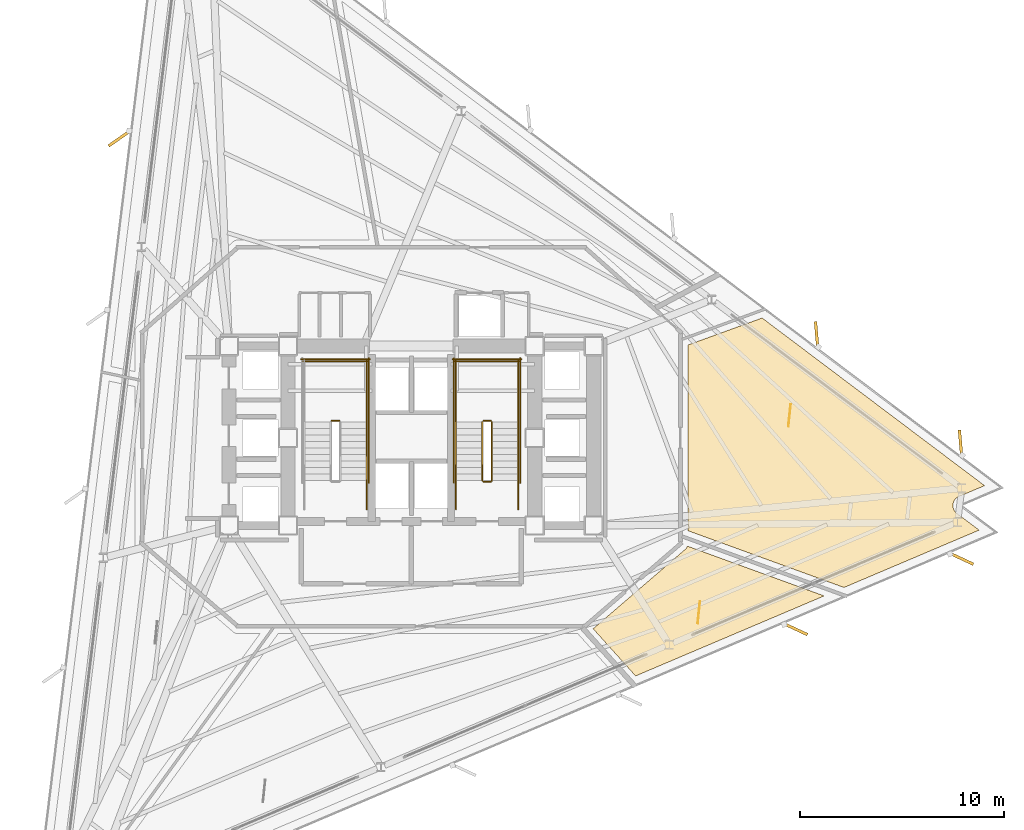
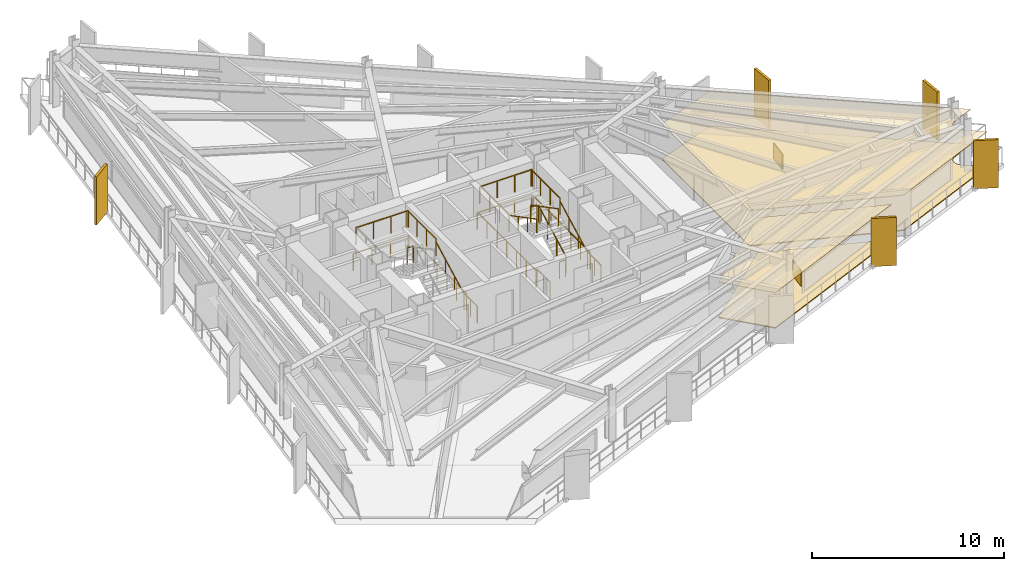
# One storey, part 12 of 13: 21 railings, 6 coverings, 5 shading devices.
"""IFC4 building model written with IfcOpenShell, lengths in metres."""

from ifc_helpers import new_model, si_unit, direction, frame, origin, origin_2d, place, context, subcontext, project, spatial, polyline, rectangle, outline, extrude, material, layer, layer_set, type_object, element, save


model = new_model("IFC4")

# Units and contexts
model_context = context("Model", 3, precision=1e-05, world=origin(), true_north=direction((0.0, 1.0)))
body_context = subcontext(model_context, "Body", "Model", "MODEL_VIEW")
ifc_project = project(units=[si_unit("LENGTHUNIT", "METRE"), si_unit("AREAUNIT", "SQUARE_METRE"), si_unit("VOLUMEUNIT", "CUBIC_METRE"), si_unit("PLANEANGLEUNIT", "RADIAN"), si_unit("MASSUNIT", "GRAM", prefix="KILO")], contexts=[model_context])

# Site, building, storey
site_placement = place(None, origin())
site = spatial("IfcSite", under=ifc_project, at=site_placement, CompositionType="ELEMENT")
building_placement = place(site_placement, origin())
building = spatial("IfcBuilding", under=site, at=building_placement, Name="Rocaltana Carrier Exchange", CompositionType="ELEMENT")
storey_placement = place(building_placement, frame((0.0, 0.0, 73.1201171875)))
storey = spatial("IfcBuildingStorey", under=building, at=storey_placement, Name="L22", CompositionType="ELEMENT", Elevation=73.1201171875)

# Coverings
ifc_material_1 = material(Name="Calcium Sulphate & Aluminium Pedestal", Category="aluminium")
ifc_layer_1 = layer(ifc_material_1, 0.06005859375)
ifc_layer_set_1 = layer_set([ifc_layer_1], Name="Calcium Sulphate & Aluminium Pedestal")
covering_type_1 = type_object("IfcCoveringType", Name="Anti-Static Raised Exchange Access Floor 60", PredefinedType="FLOORING", material=ifc_layer_set_1)
covering_1_placement = place(storey_placement, origin())
element("IfcCovering", 1, at=covering_1_placement, inside=storey, type_object=covering_type_1, Name="L22 Cloud Architecture Office Finish Floor", PredefinedType="FLOORING", context=body_context, shape_type="SweptSolid", body=[
    extrude(outline(polyline([(8.917236328125, -9.365478515625), (13.43505859375, -5.47265625), (13.44482421875, -5.4638671875), (13.450439453125, -5.45849609375), (13.468994140625, -5.439208984375), (13.47412109375, -5.433349609375), (13.490478515625, -5.41259765625), (13.4951171875, -5.40625), (13.509521484375, -5.3837890625), (13.51318359375, -5.377197265625), (13.525634765625, -5.353515625), (13.52880859375, -5.346435546875), (13.538818359375, -5.32177734375), (13.541259765625, -5.314453125), (13.5419921875, -5.31201171875), (20.251708984375, -7.754150390625), (11.001708984375, -11.6806640625), (8.917236328125, -9.365478515625)])), origin(), (0.0, 0.0, 1.0), 0.059814453125),
])
covering_2_placement = place(storey_placement, origin())
element("IfcCovering", 2, at=covering_2_placement, inside=storey, type_object=covering_type_1, Name="L22 Optical Switching Laboratory Finish Floor", PredefinedType="FLOORING", context=body_context, shape_type="SweptSolid", body=[
    extrude(outline(polyline([(28.1201171875, -2.344482421875), (26.860107421875, -2.87939453125), (26.847412109375, -2.885009765625), (26.82958984375, -2.893798828125), (26.80517578125, -2.906982421875), (26.7880859375, -2.91748046875), (26.76513671875, -2.933349609375), (26.749267578125, -2.9453125), (26.727783203125, -2.96337890625), (26.71337890625, -2.97705078125), (26.69384765625, -2.9970703125), (26.6806640625, -3.01220703125), (26.663330078125, -3.033935546875), (26.65185546875, -3.050048828125), (26.63671875, -3.073486328125), (26.626708984375, -3.0908203125), (26.614013671875, -3.11572265625), (26.60595703125, -3.134033203125), (26.595703125, -3.159912109375), (26.589599609375, -3.178955078125), (26.58203125, -3.205810546875), (26.57763671875, -3.225341796875), (26.57275390625, -3.252685546875), (26.5703125, -3.2724609375), (26.568359375, -3.30029296875), (26.56787109375, -3.3203125), (26.568603515625, -3.34814453125), (26.5703125, -3.3681640625), (26.57373046875, -3.395751953125), (26.577392578125, -3.415283203125), (26.58349609375, -3.442626953125), (26.589111328125, -3.4619140625), (26.597900390625, -3.48828125), (26.605224609375, -3.5068359375), (26.616943359375, -3.5322265625), (26.6259765625, -3.5498046875), (26.639892578125, -3.573974609375), (26.65087890625, -3.5908203125), (26.667236328125, -3.61328125), (26.6796875, -3.62890625), (26.6982421875, -3.64990234375), (26.712158203125, -3.6640625), (26.732666015625, -3.68310546875), (26.748046875, -3.69580078125), (26.7587890625, -3.70458984375), (27.851806640625, -4.528076171875), (21.223388671875, -7.341552734375), (13.56005859375, -4.55224609375), (13.56005859375, 4.55224609375), (17.20654296875, 5.87939453125), (28.1201171875, -2.344482421875)])), origin(), (0.0, 0.0, 1.0), 0.059814453125),
])
ifc_material_2 = material(Name="Mineral Fibre & Powder-Coated Aluminium", Category="aluminium")
ifc_layer_2 = layer(ifc_material_2, 0.044921875)
ifc_layer_set_2 = layer_set([ifc_layer_2], Name="Mineral Fibre & Powder-Coated Aluminium")
covering_type_2 = type_object("IfcCoveringType", Name="Micro-Perforated Acoustic Ceiling 45", PredefinedType="CEILING", material=ifc_layer_set_2)
covering_3_placement = place(storey_placement, frame((0.0, 0.0, 2.242919921875)))
element("IfcCovering", 3, at=covering_3_placement, inside=storey, type_object=covering_type_2, Name="L22 Cloud Architecture Office Acoustic Ceiling", PredefinedType="CEILING", context=body_context, shape_type="SweptSolid", body=[
    extrude(outline(polyline([(8.917236328125, -9.365478515625), (13.43505859375, -5.47265625), (13.44482421875, -5.4638671875), (13.450439453125, -5.45849609375), (13.468994140625, -5.439208984375), (13.47412109375, -5.433349609375), (13.490478515625, -5.41259765625), (13.4951171875, -5.40625), (13.509521484375, -5.3837890625), (13.51318359375, -5.377197265625), (13.525634765625, -5.353515625), (13.52880859375, -5.346435546875), (13.538818359375, -5.32177734375), (13.541259765625, -5.314453125), (13.5419921875, -5.31201171875), (20.251708984375, -7.754150390625), (11.001708984375, -11.6806640625), (8.917236328125, -9.365478515625)])), origin(), (0.0, 0.0, 1.0), 0.044921875),
])
covering_4_placement = place(storey_placement, frame((0.0, 0.0, 2.242919921875)))
element("IfcCovering", 4, at=covering_4_placement, inside=storey, type_object=covering_type_2, Name="L22 Optical Switching Laboratory Acoustic Ceiling", PredefinedType="CEILING", context=body_context, shape_type="SweptSolid", body=[
    extrude(outline(polyline([(28.1201171875, -2.344482421875), (26.860107421875, -2.87939453125), (26.847412109375, -2.885009765625), (26.82958984375, -2.893798828125), (26.80517578125, -2.906982421875), (26.7880859375, -2.91748046875), (26.76513671875, -2.933349609375), (26.749267578125, -2.9453125), (26.727783203125, -2.96337890625), (26.71337890625, -2.97705078125), (26.69384765625, -2.9970703125), (26.6806640625, -3.01220703125), (26.663330078125, -3.033935546875), (26.65185546875, -3.050048828125), (26.63671875, -3.073486328125), (26.626708984375, -3.0908203125), (26.614013671875, -3.11572265625), (26.60595703125, -3.134033203125), (26.595703125, -3.159912109375), (26.589599609375, -3.178955078125), (26.58203125, -3.205810546875), (26.57763671875, -3.225341796875), (26.57275390625, -3.252685546875), (26.5703125, -3.2724609375), (26.568359375, -3.30029296875), (26.56787109375, -3.3203125), (26.568603515625, -3.34814453125), (26.5703125, -3.3681640625), (26.57373046875, -3.395751953125), (26.577392578125, -3.415283203125), (26.58349609375, -3.442626953125), (26.589111328125, -3.4619140625), (26.597900390625, -3.48828125), (26.605224609375, -3.5068359375), (26.616943359375, -3.5322265625), (26.6259765625, -3.5498046875), (26.639892578125, -3.573974609375), (26.65087890625, -3.5908203125), (26.667236328125, -3.61328125), (26.6796875, -3.62890625), (26.6982421875, -3.64990234375), (26.712158203125, -3.6640625), (26.732666015625, -3.68310546875), (26.748046875, -3.69580078125), (26.7587890625, -3.70458984375), (27.851806640625, -4.528076171875), (21.223388671875, -7.341552734375), (13.56005859375, -4.55224609375), (13.56005859375, 4.55224609375), (17.20654296875, 5.87939453125), (28.1201171875, -2.344482421875)])), origin(), (0.0, 0.0, 1.0), 0.044921875),
])

# Railings
ifc_material_3 = material(Name="Brushed Architectural Stainless Tube", Category="steel")
ifc_layer_3 = layer(ifc_material_3, 0.048095703125)
ifc_layer_set_3 = layer_set([ifc_layer_3], Name="Brushed Architectural Stainless Tube")
railing_type_1 = type_object("IfcRailingType", Name="Stair Wall Handrail 920", PredefinedType="HANDRAIL", material=ifc_layer_set_3)
for number, where, name in (
    (5, (-2.18994140625, -2.10009765625, 0.16796875), "L22 ST-1 stair handrail 1"),
    (6, (5.25, -2.10009765625, 0.16796875), "L22 ST-2 stair handrail 1"),
):
    element("IfcRailing", number, at=place(storey_placement, frame(where)), inside=storey, type_object=railing_type_1, Name=name, PredefinedType="HANDRAIL", context=body_context, shape_type="SweptSolid", body=[
        extrude(rectangle(XDim=0.048095703125, YDim=0.048095703125, at=origin_2d()), frame((0.0, 0.0, 0.8759765625), z_axis=(0.0, 0.885411030485, 0.464808893091), x_axis=(-1.0, 0.0, 0.0)), (0.0, 0.0, 1.0), 3.2529296875),
        extrude(rectangle(XDim=0.0419921875, YDim=0.0419921875, at=origin_2d()), origin(), (0.0, 0.0, 1.0), 0.851806640625),
        extrude(rectangle(XDim=0.0419921875, YDim=0.0419921875, at=origin_2d()), frame((0.0, 0.9599609375, 0.50390625)), (0.0, 0.0, 1.0), 0.851806640625),
        extrude(rectangle(XDim=0.0419921875, YDim=0.0419921875, at=origin_2d()), frame((0.0, 1.920166015625, 1.008056640625)), (0.0, 0.0, 1.0), 0.851806640625),
        extrude(rectangle(XDim=0.0419921875, YDim=0.0419921875, at=origin_2d()), frame((0.0, 2.880126953125, 1.511962890625)), (0.0, 0.0, 1.0), 0.851806640625),
    ])
railing_1_placement = place(storey_placement, frame((2.18994140625, 0.780029296875, 1.847900390625)))
element("IfcRailing", 7, at=railing_1_placement, inside=storey, type_object=railing_type_1, Name="L22 ST-2 stair handrail 2", PredefinedType="HANDRAIL", context=body_context, shape_type="SweptSolid", body=[
    extrude(rectangle(XDim=0.048095703125, YDim=0.048095703125, at=origin_2d()), frame((0.0, 0.0, 0.8759765625), z_axis=(0.0, -0.885411030485, 0.464808893091), x_axis=(1.0, 0.0, 0.0)), (0.0, 0.0, 1.0), 3.2529296875),
    extrude(rectangle(XDim=0.0419921875, YDim=0.0419921875, at=origin_2d()), origin(), (0.0, 0.0, 1.0), 0.851806640625),
    extrude(rectangle(XDim=0.0419921875, YDim=0.0419921875, at=origin_2d()), frame((0.0, -0.9599609375, 0.50390625)), (0.0, 0.0, 1.0), 0.851806640625),
    extrude(rectangle(XDim=0.0419921875, YDim=0.0419921875, at=origin_2d()), frame((0.0, -1.920166015625, 1.008056640625)), (0.0, 0.0, 1.0), 0.851806640625),
    extrude(rectangle(XDim=0.0419921875, YDim=0.0419921875, at=origin_2d()), frame((0.0, -2.880126953125, 1.511962890625)), (0.0, 0.0, 1.0), 0.851806640625),
])
ifc_material_4 = material(Name="Powder-Coated Aluminium 6063-T6", Category="aluminium")
ifc_layer_4 = layer(ifc_material_4, 0.048095703125)
ifc_layer_set_4 = layer_set([ifc_layer_4], Name="Powder-Coated Aluminium 6063-T6")
railing_type_2 = type_object("IfcRailingType", Name="Stair Well Guardrail 1100", PredefinedType="GUARDRAIL", material=ifc_layer_set_4)
railing_2_placement = place(storey_placement, frame((-3.5400390625, 0.830078125, 1.679931640625)))
element("IfcRailing", 8, at=railing_2_placement, inside=storey, type_object=railing_type_2, Name="L22 ST-1 stair guard 2", PredefinedType="GUARDRAIL", context=body_context, shape_type="SweptSolid", body=[
    extrude(rectangle(XDim=0.048095703125, YDim=0.048095703125, at=origin_2d()), frame((0.0, 0.0, 1.076171875), z_axis=(-1.0, 0.0, 0.0), x_axis=(0.0, -1.0, 0.0)), (0.0, 0.0, 1.0), 0.35986328125),
    extrude(rectangle(XDim=0.0419921875, YDim=0.0419921875, at=origin_2d()), origin(), (0.0, 0.0, 1.0), 1.052001953125),
    extrude(rectangle(XDim=0.0419921875, YDim=0.0419921875, at=origin_2d()), frame((-0.35986328125, 0.0, 0.0)), (0.0, 0.0, 1.0), 1.052001953125),
])
railing_3_placement = place(storey_placement, frame((-2.18994140625, 0.780029296875, 1.679931640625)))
element("IfcRailing", 9, at=railing_3_placement, inside=storey, type_object=railing_type_2, Name="L22 ST-1 stair guard 3", PredefinedType="GUARDRAIL", context=body_context, shape_type="SweptSolid", body=[
    extrude(rectangle(XDim=0.048095703125, YDim=0.048095703125, at=origin_2d()), frame((0.0, 0.0, 1.076171875), z_axis=(0.0, 1.0, 0.0), x_axis=(-1.0, 0.0, 0.0)), (0.0, 0.0, 1.0), 3.02001953125),
    extrude(rectangle(XDim=0.0419921875, YDim=0.0419921875, at=origin_2d()), origin(), (0.0, 0.0, 1.0), 1.052001953125),
    extrude(rectangle(XDim=0.0419921875, YDim=0.0419921875, at=origin_2d()), frame((0.0, 1.006591796875, 0.0)), (0.0, 0.0, 1.0), 1.052001953125),
    extrude(rectangle(XDim=0.0419921875, YDim=0.0419921875, at=origin_2d()), frame((0.0, 2.013427734375, 0.0)), (0.0, 0.0, 1.0), 1.052001953125),
    extrude(rectangle(XDim=0.0419921875, YDim=0.0419921875, at=origin_2d()), frame((0.0, 3.02001953125, 0.0)), (0.0, 0.0, 1.0), 1.052001953125),
])
railing_4_placement = place(storey_placement, frame((-2.139892578125, 3.75, 1.679931640625)))
element("IfcRailing", 10, at=railing_4_placement, inside=storey, type_object=railing_type_2, Name="L22 ST-1 stair guard 5", PredefinedType="GUARDRAIL", context=body_context, shape_type="SweptSolid", body=[
    extrude(rectangle(XDim=0.048095703125, YDim=0.048095703125, at=origin_2d()), frame((0.0, 0.0, 1.076171875), z_axis=(-1.0, 0.0, 0.0), x_axis=(0.0, -1.0, 0.0)), (0.0, 0.0, 1.0), 3.16015625),
    extrude(rectangle(XDim=0.0419921875, YDim=0.0419921875, at=origin_2d()), origin(), (0.0, 0.0, 1.0), 1.052001953125),
    extrude(rectangle(XDim=0.0419921875, YDim=0.0419921875, at=origin_2d()), frame((-1.053466796875, 0.0, 0.0)), (0.0, 0.0, 1.0), 1.052001953125),
    extrude(rectangle(XDim=0.0419921875, YDim=0.0419921875, at=origin_2d()), frame((-2.106689453125, 0.0, 0.0)), (0.0, 0.0, 1.0), 1.052001953125),
    extrude(rectangle(XDim=0.0419921875, YDim=0.0419921875, at=origin_2d()), frame((-3.16015625, 0.0, 0.0)), (0.0, 0.0, 1.0), 1.052001953125),
])
railing_5_placement = place(storey_placement, frame((-2.18994140625, -3.5, 0.0)))
element("IfcRailing", 11, at=railing_5_placement, inside=storey, type_object=railing_type_2, Name="L22 ST-1 stair guard 8", PredefinedType="GUARDRAIL", context=body_context, shape_type="SweptSolid", body=[
    extrude(rectangle(XDim=0.048095703125, YDim=0.048095703125, at=origin_2d()), frame((0.0, 0.0, 1.076171875), z_axis=(0.0, 1.0, 0.0), x_axis=(-1.0, 0.0, 0.0)), (0.0, 0.0, 1.0), 1.39990234375),
    extrude(rectangle(XDim=0.0419921875, YDim=0.0419921875, at=origin_2d()), origin(), (0.0, 0.0, 1.0), 1.052001953125),
    extrude(rectangle(XDim=0.0419921875, YDim=0.0419921875, at=origin_2d()), frame((0.0, 0.699951171875, 0.0)), (0.0, 0.0, 1.0), 1.052001953125),
    extrude(rectangle(XDim=0.0419921875, YDim=0.0419921875, at=origin_2d()), frame((0.0, 1.39990234375, 0.0)), (0.0, 0.0, 1.0), 1.052001953125),
])
railing_6_placement = place(storey_placement, frame((-2.090087890625, -2.199951171875, 0.0)))
element("IfcRailing", 12, at=railing_6_placement, inside=storey, type_object=railing_type_2, Name="L22 ST-1 stair guard 10", PredefinedType="GUARDRAIL", context=body_context, shape_type="SweptSolid", body=[
    extrude(rectangle(XDim=0.048095703125, YDim=0.048095703125, at=origin_2d()), frame((0.0, 0.0, 1.076171875), z_axis=(0.0, 1.0, 0.0), x_axis=(-1.0, 0.0, 0.0)), (0.0, 0.0, 1.0), 6.099853515625),
    extrude(rectangle(XDim=0.0419921875, YDim=0.0419921875, at=origin_2d()), origin(), (0.0, 0.0, 1.0), 1.052001953125),
    extrude(rectangle(XDim=0.0419921875, YDim=0.0419921875, at=origin_2d()), frame((0.0, 1.0166015625, 0.0)), (0.0, 0.0, 1.0), 1.052001953125),
    extrude(rectangle(XDim=0.0419921875, YDim=0.0419921875, at=origin_2d()), frame((0.0, 2.033203125, 0.0)), (0.0, 0.0, 1.0), 1.052001953125),
    extrude(rectangle(XDim=0.0419921875, YDim=0.0419921875, at=origin_2d()), frame((0.0, 3.0498046875, 0.0)), (0.0, 0.0, 1.0), 1.052001953125),
    extrude(rectangle(XDim=0.0419921875, YDim=0.0419921875, at=origin_2d()), frame((0.0, 4.066650390625, 0.0)), (0.0, 0.0, 1.0), 1.052001953125),
    extrude(rectangle(XDim=0.0419921875, YDim=0.0419921875, at=origin_2d()), frame((0.0, 5.083251953125, 0.0)), (0.0, 0.0, 1.0), 1.052001953125),
    extrude(rectangle(XDim=0.0419921875, YDim=0.0419921875, at=origin_2d()), frame((0.0, 6.099853515625, 0.0)), (0.0, 0.0, 1.0), 1.052001953125),
])
railing_7_placement = place(storey_placement, frame((-2.0400390625, 3.85009765625, 0.0)))
element("IfcRailing", 13, at=railing_7_placement, inside=storey, type_object=railing_type_2, Name="L22 ST-1 stair guard 12", PredefinedType="GUARDRAIL", context=body_context, shape_type="SweptSolid", body=[
    extrude(rectangle(XDim=0.048095703125, YDim=0.048095703125, at=origin_2d()), frame((0.0, 0.0, 1.076171875), z_axis=(-1.0, 0.0, 0.0), x_axis=(0.0, -1.0, 0.0)), (0.0, 0.0, 1.0), 3.35986328125),
    extrude(rectangle(XDim=0.0419921875, YDim=0.0419921875, at=origin_2d()), origin(), (0.0, 0.0, 1.0), 1.052001953125),
    extrude(rectangle(XDim=0.0419921875, YDim=0.0419921875, at=origin_2d()), frame((-1.119873046875, 0.0, 0.0)), (0.0, 0.0, 1.0), 1.052001953125),
    extrude(rectangle(XDim=0.0419921875, YDim=0.0419921875, at=origin_2d()), frame((-2.239990234375, 0.0, 0.0)), (0.0, 0.0, 1.0), 1.052001953125),
    extrude(rectangle(XDim=0.0419921875, YDim=0.0419921875, at=origin_2d()), frame((-3.35986328125, 0.0, 0.0)), (0.0, 0.0, 1.0), 1.052001953125),
])
railing_8_placement = place(storey_placement, frame((3.949951171875, -2.10009765625, 0.16796875)))
element("IfcRailing", 14, at=railing_8_placement, inside=storey, type_object=railing_type_2, Name="L22 ST-2 stair guard 1", PredefinedType="GUARDRAIL", context=body_context, shape_type="SweptSolid", body=[
    extrude(rectangle(XDim=0.048095703125, YDim=0.048095703125, at=origin_2d()), frame((0.0, 0.0, 1.076171875), z_axis=(0.0, 0.885411030485, 0.464808893091), x_axis=(-1.0, 0.0, 0.0)), (0.0, 0.0, 1.0), 3.2529296875),
    extrude(rectangle(XDim=0.0419921875, YDim=0.0419921875, at=origin_2d()), origin(), (0.0, 0.0, 1.0), 1.052001953125),
    extrude(rectangle(XDim=0.0419921875, YDim=0.0419921875, at=origin_2d()), frame((0.0, 0.9599609375, 0.50390625)), (0.0, 0.0, 1.0), 1.052001953125),
    extrude(rectangle(XDim=0.0419921875, YDim=0.0419921875, at=origin_2d()), frame((0.0, 1.920166015625, 1.008056640625)), (0.0, 0.0, 1.0), 1.052001953125),
    extrude(rectangle(XDim=0.0419921875, YDim=0.0419921875, at=origin_2d()), frame((0.0, 2.880126953125, 1.511962890625)), (0.0, 0.0, 1.0), 1.052001953125),
])
railing_9_placement = place(storey_placement, frame((3.89990234375, 0.830078125, 1.679931640625)))
element("IfcRailing", 15, at=railing_9_placement, inside=storey, type_object=railing_type_2, Name="L22 ST-2 stair guard 2", PredefinedType="GUARDRAIL", context=body_context, shape_type="SweptSolid", body=[
    extrude(rectangle(XDim=0.048095703125, YDim=0.048095703125, at=origin_2d()), frame((0.0, 0.0, 1.076171875), z_axis=(-1.0, 0.0, 0.0), x_axis=(0.0, -1.0, 0.0)), (0.0, 0.0, 1.0), 0.35986328125),
    extrude(rectangle(XDim=0.0419921875, YDim=0.0419921875, at=origin_2d()), origin(), (0.0, 0.0, 1.0), 1.052001953125),
    extrude(rectangle(XDim=0.0419921875, YDim=0.0419921875, at=origin_2d()), frame((-0.35986328125, 0.0, 0.0)), (0.0, 0.0, 1.0), 1.052001953125),
])
for number, where, name in (
    (16, (5.25, 0.780029296875, 1.679931640625), "L22 ST-2 stair guard 3"),
    (17, (2.18994140625, 0.780029296875, 1.679931640625), "L22 ST-2 stair guard 4"),
):
    element("IfcRailing", number, at=place(storey_placement, frame(where)), inside=storey, type_object=railing_type_2, Name=name, PredefinedType="GUARDRAIL", context=body_context, shape_type="SweptSolid", body=[
        extrude(rectangle(XDim=0.048095703125, YDim=0.048095703125, at=origin_2d()), frame((0.0, 0.0, 1.076171875), z_axis=(0.0, 1.0, 0.0), x_axis=(-1.0, 0.0, 0.0)), (0.0, 0.0, 1.0), 3.02001953125),
        extrude(rectangle(XDim=0.0419921875, YDim=0.0419921875, at=origin_2d()), origin(), (0.0, 0.0, 1.0), 1.052001953125),
        extrude(rectangle(XDim=0.0419921875, YDim=0.0419921875, at=origin_2d()), frame((0.0, 1.006591796875, 0.0)), (0.0, 0.0, 1.0), 1.052001953125),
        extrude(rectangle(XDim=0.0419921875, YDim=0.0419921875, at=origin_2d()), frame((0.0, 2.013427734375, 0.0)), (0.0, 0.0, 1.0), 1.052001953125),
        extrude(rectangle(XDim=0.0419921875, YDim=0.0419921875, at=origin_2d()), frame((0.0, 3.02001953125, 0.0)), (0.0, 0.0, 1.0), 1.052001953125),
    ])
railing_10_placement = place(storey_placement, frame((5.300048828125, 3.75, 1.679931640625)))
element("IfcRailing", 18, at=railing_10_placement, inside=storey, type_object=railing_type_2, Name="L22 ST-2 stair guard 5", PredefinedType="GUARDRAIL", context=body_context, shape_type="SweptSolid", body=[
    extrude(rectangle(XDim=0.048095703125, YDim=0.048095703125, at=origin_2d()), frame((0.0, 0.0, 1.076171875), z_axis=(-1.0, 0.0, 0.0), x_axis=(0.0, -1.0, 0.0)), (0.0, 0.0, 1.0), 3.16015625),
    extrude(rectangle(XDim=0.0419921875, YDim=0.0419921875, at=origin_2d()), origin(), (0.0, 0.0, 1.0), 1.052001953125),
    extrude(rectangle(XDim=0.0419921875, YDim=0.0419921875, at=origin_2d()), frame((-1.053466796875, 0.0, 0.0)), (0.0, 0.0, 1.0), 1.052001953125),
    extrude(rectangle(XDim=0.0419921875, YDim=0.0419921875, at=origin_2d()), frame((-2.106689453125, 0.0, 0.0)), (0.0, 0.0, 1.0), 1.052001953125),
    extrude(rectangle(XDim=0.0419921875, YDim=0.0419921875, at=origin_2d()), frame((-3.16015625, 0.0, 0.0)), (0.0, 0.0, 1.0), 1.052001953125),
])
railing_11_placement = place(storey_placement, frame((3.489990234375, 0.780029296875, 1.847900390625)))
element("IfcRailing", 19, at=railing_11_placement, inside=storey, type_object=railing_type_2, Name="L22 ST-2 stair guard 6", PredefinedType="GUARDRAIL", context=body_context, shape_type="SweptSolid", body=[
    extrude(rectangle(XDim=0.048095703125, YDim=0.048095703125, at=origin_2d()), frame((0.0, 0.0, 1.076171875), z_axis=(0.0, -0.885411030485, 0.464808893091), x_axis=(1.0, 0.0, 0.0)), (0.0, 0.0, 1.0), 3.2529296875),
    extrude(rectangle(XDim=0.0419921875, YDim=0.0419921875, at=origin_2d()), origin(), (0.0, 0.0, 1.0), 1.052001953125),
    extrude(rectangle(XDim=0.0419921875, YDim=0.0419921875, at=origin_2d()), frame((0.0, -0.9599609375, 0.50390625)), (0.0, 0.0, 1.0), 1.052001953125),
    extrude(rectangle(XDim=0.0419921875, YDim=0.0419921875, at=origin_2d()), frame((0.0, -1.920166015625, 1.008056640625)), (0.0, 0.0, 1.0), 1.052001953125),
    extrude(rectangle(XDim=0.0419921875, YDim=0.0419921875, at=origin_2d()), frame((0.0, -2.880126953125, 1.511962890625)), (0.0, 0.0, 1.0), 1.052001953125),
])
railing_12_placement = place(storey_placement, frame((3.89990234375, -2.14990234375, 0.0)))
element("IfcRailing", 20, at=railing_12_placement, inside=storey, type_object=railing_type_2, Name="L22 ST-2 stair guard 7", PredefinedType="GUARDRAIL", context=body_context, shape_type="SweptSolid", body=[
    extrude(rectangle(XDim=0.048095703125, YDim=0.048095703125, at=origin_2d()), frame((0.0, 0.0, 1.076171875), z_axis=(-1.0, 0.0, 0.0), x_axis=(0.0, -1.0, 0.0)), (0.0, 0.0, 1.0), 0.35986328125),
    extrude(rectangle(XDim=0.0419921875, YDim=0.0419921875, at=origin_2d()), origin(), (0.0, 0.0, 1.0), 1.052001953125),
    extrude(rectangle(XDim=0.0419921875, YDim=0.0419921875, at=origin_2d()), frame((-0.35986328125, 0.0, 0.0)), (0.0, 0.0, 1.0), 1.052001953125),
])
for number, where, name in (
    (21, (5.25, -3.5, 0.0), "L22 ST-2 stair guard 8"),
    (22, (2.18994140625, -3.5, 0.0), "L22 ST-2 stair guard 9"),
):
    element("IfcRailing", number, at=place(storey_placement, frame(where)), inside=storey, type_object=railing_type_2, Name=name, PredefinedType="GUARDRAIL", context=body_context, shape_type="SweptSolid", body=[
        extrude(rectangle(XDim=0.048095703125, YDim=0.048095703125, at=origin_2d()), frame((0.0, 0.0, 1.076171875), z_axis=(0.0, 1.0, 0.0), x_axis=(-1.0, 0.0, 0.0)), (0.0, 0.0, 1.0), 1.39990234375),
        extrude(rectangle(XDim=0.0419921875, YDim=0.0419921875, at=origin_2d()), origin(), (0.0, 0.0, 1.0), 1.052001953125),
        extrude(rectangle(XDim=0.0419921875, YDim=0.0419921875, at=origin_2d()), frame((0.0, 0.699951171875, 0.0)), (0.0, 0.0, 1.0), 1.052001953125),
        extrude(rectangle(XDim=0.0419921875, YDim=0.0419921875, at=origin_2d()), frame((0.0, 1.39990234375, 0.0)), (0.0, 0.0, 1.0), 1.052001953125),
    ])
for number, where, name in (
    (23, (5.35009765625, -2.199951171875, 0.0), "L22 ST-2 stair guard 10"),
    (24, (2.090087890625, -2.199951171875, 0.0), "L22 ST-2 stair guard 11"),
):
    element("IfcRailing", number, at=place(storey_placement, frame(where)), inside=storey, type_object=railing_type_2, Name=name, PredefinedType="GUARDRAIL", context=body_context, shape_type="SweptSolid", body=[
        extrude(rectangle(XDim=0.048095703125, YDim=0.048095703125, at=origin_2d()), frame((0.0, 0.0, 1.076171875), z_axis=(0.0, 1.0, 0.0), x_axis=(-1.0, 0.0, 0.0)), (0.0, 0.0, 1.0), 6.099853515625),
        extrude(rectangle(XDim=0.0419921875, YDim=0.0419921875, at=origin_2d()), origin(), (0.0, 0.0, 1.0), 1.052001953125),
        extrude(rectangle(XDim=0.0419921875, YDim=0.0419921875, at=origin_2d()), frame((0.0, 1.0166015625, 0.0)), (0.0, 0.0, 1.0), 1.052001953125),
        extrude(rectangle(XDim=0.0419921875, YDim=0.0419921875, at=origin_2d()), frame((0.0, 2.033203125, 0.0)), (0.0, 0.0, 1.0), 1.052001953125),
        extrude(rectangle(XDim=0.0419921875, YDim=0.0419921875, at=origin_2d()), frame((0.0, 3.0498046875, 0.0)), (0.0, 0.0, 1.0), 1.052001953125),
        extrude(rectangle(XDim=0.0419921875, YDim=0.0419921875, at=origin_2d()), frame((0.0, 4.066650390625, 0.0)), (0.0, 0.0, 1.0), 1.052001953125),
        extrude(rectangle(XDim=0.0419921875, YDim=0.0419921875, at=origin_2d()), frame((0.0, 5.083251953125, 0.0)), (0.0, 0.0, 1.0), 1.052001953125),
        extrude(rectangle(XDim=0.0419921875, YDim=0.0419921875, at=origin_2d()), frame((0.0, 6.099853515625, 0.0)), (0.0, 0.0, 1.0), 1.052001953125),
    ])
railing_13_placement = place(storey_placement, frame((5.39990234375, 3.85009765625, 0.0)))
element("IfcRailing", 25, at=railing_13_placement, inside=storey, type_object=railing_type_2, Name="L22 ST-2 stair guard 12", PredefinedType="GUARDRAIL", context=body_context, shape_type="SweptSolid", body=[
    extrude(rectangle(XDim=0.048095703125, YDim=0.048095703125, at=origin_2d()), frame((0.0, 0.0, 1.076171875), z_axis=(-1.0, 0.0, 0.0), x_axis=(0.0, -1.0, 0.0)), (0.0, 0.0, 1.0), 3.35986328125),
    extrude(rectangle(XDim=0.0419921875, YDim=0.0419921875, at=origin_2d()), origin(), (0.0, 0.0, 1.0), 1.052001953125),
    extrude(rectangle(XDim=0.0419921875, YDim=0.0419921875, at=origin_2d()), frame((-1.119873046875, 0.0, 0.0)), (0.0, 0.0, 1.0), 1.052001953125),
    extrude(rectangle(XDim=0.0419921875, YDim=0.0419921875, at=origin_2d()), frame((-2.239990234375, 0.0, 0.0)), (0.0, 0.0, 1.0), 1.052001953125),
    extrude(rectangle(XDim=0.0419921875, YDim=0.0419921875, at=origin_2d()), frame((-3.35986328125, 0.0, 0.0)), (0.0, 0.0, 1.0), 1.052001953125),
])

# Coverings
ifc_material_5 = material(Name="Honed Piedra Muneca Sandstone", Category="masonry")
ifc_layer_5 = layer(ifc_material_5, 0.034912109375)
ifc_layer_set_5 = layer_set([ifc_layer_5], Name="Honed Piedra Muneca Sandstone")
covering_type_3 = type_object("IfcCoveringType", Name="Stone Facade Cladding 35", PredefinedType="CLADDING", material=ifc_layer_set_5)
for number, where, z_axis, x_axis, name in (
    (26, (14.102783203125, -8.559814453125, 0.0), (0.0, 0.0, 1.0), (0.104528463268, 0.994521895368, 0.0), "L22 Stone Facade Cladding Panel 3"),
    (27, (18.552001953125, 1.10400390625, 0.0), (0.0, 0.0, 1.0), (0.104528463268, 0.994521895368, 0.0), "L22 Stone Facade Cladding Panel 4"),
):
    element("IfcCovering", number, at=place(storey_placement, frame(where, z_axis=z_axis, x_axis=x_axis)), inside=storey, type_object=covering_type_3, Name=name, PredefinedType="CLADDING", context=body_context, shape_type="SweptSolid", body=[
        extrude(rectangle(XDim=1.10009765625, YDim=0.034912109375, at=origin_2d()), origin(), (0.0, 0.0, 1.0), 1.050048828125),
    ])

# Shading devices
ifc_material_6 = material(Name="Honed Bogota Sandstone & Concrete C45/55", Category="masonry")
ifc_layer_6 = layer(ifc_material_6, 0.139892578125)
ifc_layer_set_6 = layer_set([ifc_layer_6], Name="Honed Bogota Sandstone & Concrete C45/55")
shading_device_type = type_object("IfcShadingDeviceType", Name="Vertical Sandstone Shading Fin 1320x140", PredefinedType="USERDEFINED", material=ifc_layer_set_6)
for number, where, z_axis, x_axis, name in (
    (28, (26.9423828125, -0.279052734375, -0.1201171875), (0.0, 0.0, 1.0), (-0.087155742748, 0.996194698092, 0.0), "L22 Sandstone Vertical Fin F1-01"),
    (29, (19.882568359375, 5.041015625, -0.1201171875), (0.0, 0.0, 1.0), (-0.087155742748, 0.996194698092, 0.0), "L22 Sandstone Vertical Fin F1-02"),
    (30, (-14.306884765625, 14.6982421875, -0.1201171875), (0.0, 0.0, 1.0), (-0.819152044289, -0.573576436351, 0.0), "L22 Sandstone Vertical Fin F2-02"),
    (31, (18.836181640625, -9.376953125, -0.1201171875), (0.0, 0.0, 1.0), (0.906307787037, -0.422618261741, 0.0), "L22 Sandstone Vertical Fin F3-05"),
    (32, (26.973388671875, -5.923095703125, -0.1201171875), (0.0, 0.0, 1.0), (0.906307787037, -0.422618261741, 0.0), "L22 Sandstone Vertical Fin F3-06"),
):
    element("IfcShadingDevice", number, at=place(storey_placement, frame(where, z_axis=z_axis, x_axis=x_axis)), inside=storey, type_object=shading_device_type, Name=name, ObjectType="FIN", PredefinedType="USERDEFINED", context=body_context, shape_type="SweptSolid", body=[
        extrude(rectangle(XDim=1.320068359375, YDim=0.139892578125, at=origin_2d()), origin(), (0.0, 0.0, 1.0), 3.05810546875),
    ])

save(model, "model.ifc")
